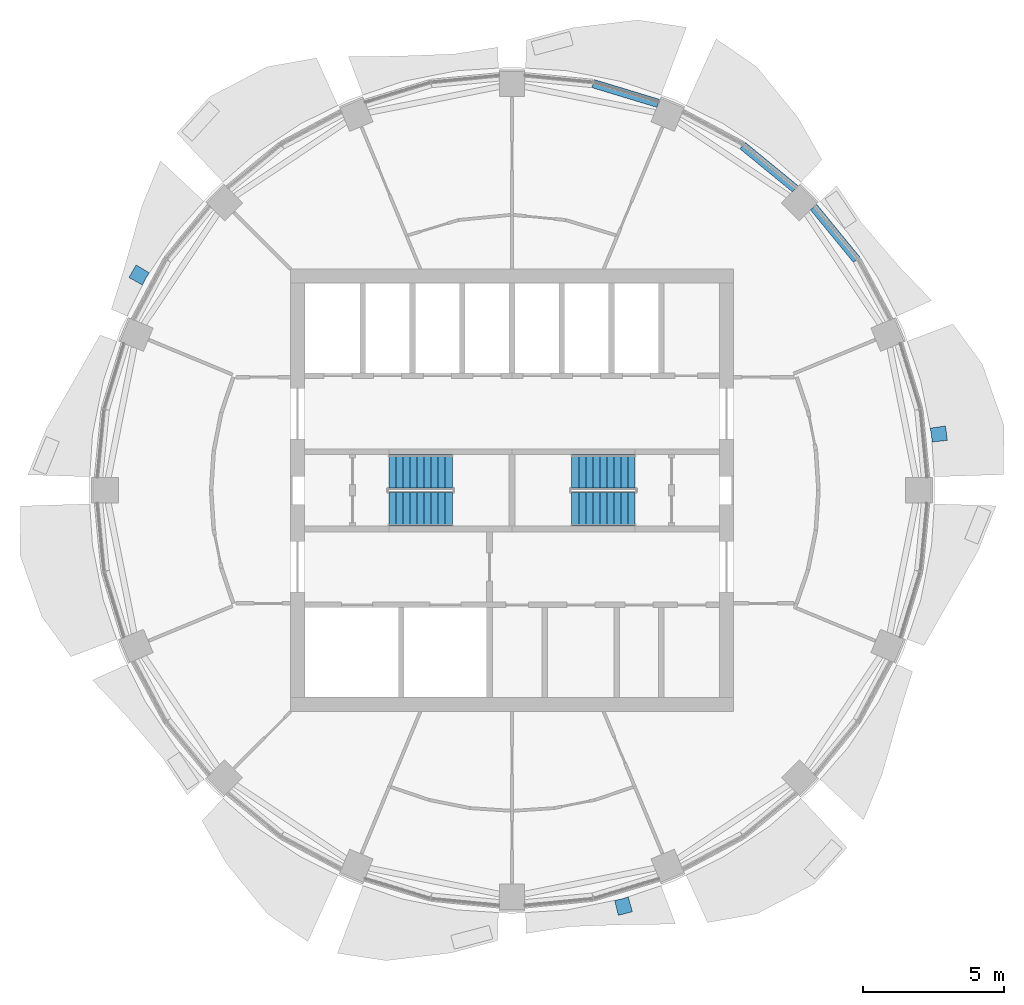
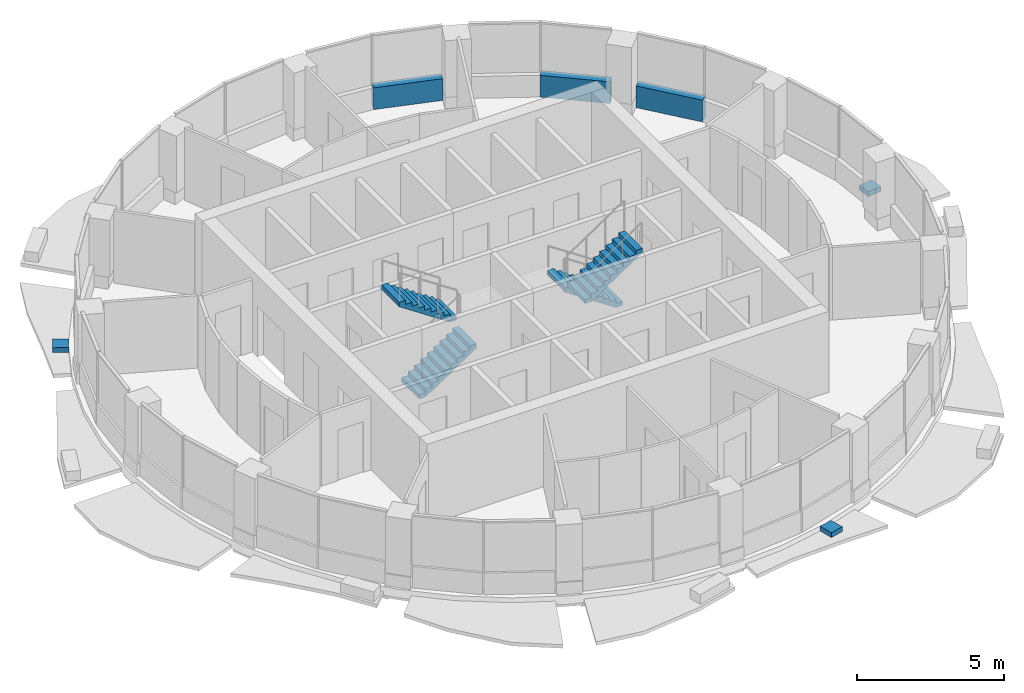
# One storey, part 10 of 14: 4 stair flights, 3 discrete accessories, 3 walls, 2 elements without a shape of their own.
"""IFC4 building model written with IfcOpenShell, lengths in metres."""

import ifcopenshell
import ifcopenshell.guid

model = None  # the IFC model being written
_history = None  # IfcOwnerHistory: only IFC2X3 demands one
_inside = {}  # id of a spatial element -> (the spatial element, [elements in it])
_under = {}  # id of a project, library or spatial element -> (it, [spatial elements below it])
_declared = {}  # id of a project -> (the project, [libraries it declares])
_typed = {}  # id of a type object -> (the type object, [elements of that type])
_made_of = {}  # id of a material, layer set ... -> (it, [elements and type objects made of it])


def new_model(schema):
    """Start an empty IFC model of exactly this schema.

    Asked for "IFC4X3", IfcOpenShell would pick the latest addendum, in which some entities
    have other attributes; the version numbers below select the first issue.
    IFC2X3 requires an IfcOwnerHistory on every rooted entity: one is made here for all.
    """
    global model, _history
    if schema == "IFC4X3":
        model = ifcopenshell.file(schema_version=(4, 3, 0, 0))
    else:
        model = ifcopenshell.file(schema=schema)
    _inside.clear()
    _under.clear()
    _declared.clear()
    _typed.clear()
    _made_of.clear()
    _history = None
    if model.schema == "IFC2X3":
        org = make("IfcOrganization", Name="unknown")
        user = make(
            "IfcPersonAndOrganization",
            ThePerson=make("IfcPerson", FamilyName="unknown"),
            TheOrganization=org,
        )
        app = make(
            "IfcApplication",
            ApplicationDeveloper=org,
            Version="unknown",
            ApplicationFullName="unknown",
            ApplicationIdentifier="unknown",
        )
        _history = make(
            "IfcOwnerHistory",
            OwningUser=user,
            OwningApplication=app,
            ChangeAction="ADDED",
            CreationDate=0,
        )
    return model


def make(cls, **values):
    """One entity of the class cls with the attributes given. An attribute that is None is left unset."""
    return model.create_entity(
        cls, **{name: value for name, value in values.items() if value is not None}
    )


def rooted(cls, **values):
    """An entity with a GlobalId (a new one), such as an element, a storey or a relation."""
    return make(cls, GlobalId=ifcopenshell.guid.new(), OwnerHistory=_history, **values)


def si_unit(unit_type, name, prefix=None):
    """IfcSIUnit, for example si_unit("LENGTHUNIT", "METRE", prefix="MILLI")."""
    return make("IfcSIUnit", UnitType=unit_type, Prefix=prefix, Name=name)


def assignment(units):
    """IfcUnitAssignment: the units of a project."""
    return None if units is None else make("IfcUnitAssignment", Units=units)


def point(xyz):
    """IfcCartesianPoint."""
    return None if xyz is None else make("IfcCartesianPoint", Coordinates=xyz)


def direction(xyz):
    """IfcDirection."""
    return None if xyz is None else make("IfcDirection", DirectionRatios=xyz)


def frame(location, z_axis=None, x_axis=None):
    """IfcAxis2Placement3D, a coordinate frame: its origin and axes. An axis left out is left unset."""
    return make(
        "IfcAxis2Placement3D",
        Location=point(location),
        Axis=direction(z_axis),
        RefDirection=direction(x_axis),
    )


def frame_2d(location, x_axis=None):
    """IfcAxis2Placement2D, a coordinate frame in the plane: its origin and x axis."""
    return make(
        "IfcAxis2Placement2D", Location=point(location), RefDirection=direction(x_axis)
    )


def origin():
    """The frame at (0, 0, 0) with its axes left unset."""
    return frame((0.0, 0.0, 0.0))


def place(relative_to, where):
    """IfcLocalPlacement: puts the frame where relative to a parent placement (None: the world)."""
    return make(
        "IfcLocalPlacement", PlacementRelTo=relative_to, RelativePlacement=where
    )


def context(
    kind, dimensions, precision=None, world=None, true_north=None, identifier=None
):
    """IfcGeometricRepresentationContext, for example the 3D "Model" context."""
    return make(
        "IfcGeometricRepresentationContext",
        ContextIdentifier=identifier,
        ContextType=kind,
        CoordinateSpaceDimension=dimensions,
        Precision=precision,
        WorldCoordinateSystem=world,
        TrueNorth=true_north,
    )


def subcontext(parent, identifier, kind, view, scale=None):
    """IfcGeometricRepresentationSubContext, for example "Body" below "Model"."""
    return make(
        "IfcGeometricRepresentationSubContext",
        ContextIdentifier=identifier,
        ContextType=kind,
        ParentContext=parent,
        TargetScale=scale,
        TargetView=view,
    )


def project(units=None, contexts=None):
    """IfcProject with its units and contexts."""
    return rooted(
        "IfcProject",
        Name="project",
        RepresentationContexts=contexts,
        UnitsInContext=assignment(units),
    )


def spatial(cls, under=None, at=None, **own):
    """A site, building, storey or space (cls), placed at a placement, below another one or the project."""
    s = rooted(cls, ObjectPlacement=at, **own)
    if under is not None:
        _under.setdefault(under.id(), (under, []))[1].append(s)
    return s


def polyline(points):
    """IfcPolyline through the points."""
    return make("IfcPolyline", Points=[point(p) for p in points])


def profile(cls, at=None, kind="AREA", **sizes):
    """A parametric profile (cls). Its sizes go by their IFC names, for example OverallWidth=200.0."""
    return make(cls, ProfileType=kind, Position=at, **sizes)


def rectangle(**sizes):
    """IfcRectangleProfileDef."""
    return profile("IfcRectangleProfileDef", **sizes)


def outline(outer, holes=None, kind="AREA"):
    """IfcArbitraryClosedProfileDef: a profile drawn as a closed curve; with holes, ...WithVoids."""
    if holes is None:
        return make("IfcArbitraryClosedProfileDef", ProfileType=kind, OuterCurve=outer)
    return make(
        "IfcArbitraryProfileDefWithVoids",
        ProfileType=kind,
        OuterCurve=outer,
        InnerCurves=holes,
    )


def extrude(swept, where, along, depth):
    """IfcExtrudedAreaSolid: the profile swept, set in the frame where, extruded along a direction by depth."""
    return make(
        "IfcExtrudedAreaSolid",
        SweptArea=swept,
        Position=where,
        ExtrudedDirection=direction(along),
        Depth=depth,
    )


def shape(context_of_items, identifier, shape_type, items):
    """IfcShapeRepresentation: the items that make up one representation, for example the "Body"."""
    return make(
        "IfcShapeRepresentation",
        ContextOfItems=context_of_items,
        RepresentationIdentifier=identifier,
        RepresentationType=shape_type,
        Items=items,
    )


def material(Name=None, Category=None):
    """IfcMaterial."""
    return make("IfcMaterial", Name=Name, Category=Category)


def layer(
    of_material, thickness, ventilated=None, Name=None, Category=None, Priority=None
):
    """IfcMaterialLayer: one layer of a wall or slab, of a material (None: an air gap)."""
    return make(
        "IfcMaterialLayer",
        Material=of_material,
        LayerThickness=thickness,
        IsVentilated=ventilated,
        Name=Name,
        Category=Category,
        Priority=Priority,
    )


def layer_set(layers, Name=None):
    """IfcMaterialLayerSet."""
    return make("IfcMaterialLayerSet", MaterialLayers=layers, LayerSetName=Name)


def made_of(thing, what):
    """Note that an element or type object is made of a material, layer set ...; save() writes the relation."""
    if what is not None:
        _made_of.setdefault(what.id(), (what, []))[1].append(thing)
    return thing


def type_object(cls, material=None, **own):
    """A type object (cls), such as IfcWallType, which elements share."""
    return made_of(rooted(cls, **own), material)


def element(
    cls,
    number,
    at=None,
    inside=None,
    cuts=None,
    type_object=None,
    material=None,
    context=None,
    identifier="Body",
    shape_type=None,
    held_by="IfcProductDefinitionShape",
    body=None,
    shapes=None,
    **own,
):
    """One element of the class cls, such as IfcWall. Its Tag is "e" and its number.

    at: its placement. inside: the storey or other place that contains it. cuts: it is an
    opening in that element (IfcRelVoidsElement). A single representation is given by context,
    identifier, shape_type and body (its items); several are given by shapes. held_by: the class
    of the entity that holds the representations. save() writes the other relations.
    """
    e = rooted(cls, Tag="e%d" % number, ObjectPlacement=at, **own)
    if body is not None:
        shapes = [shape(context, identifier, shape_type, body)]
    if shapes is not None:
        e.Representation = make(held_by, Representations=shapes)
    if inside is not None:
        _inside.setdefault(inside.id(), (inside, []))[1].append(e)
    if cuts is not None:
        rooted(
            "IfcRelVoidsElement", RelatingBuildingElement=cuts, RelatedOpeningElement=e
        )
    if type_object is not None:
        _typed.setdefault(type_object.id(), (type_object, []))[1].append(e)
    return made_of(e, material)


def aggregate(whole, parts):
    """IfcRelAggregates: a whole, such as a stair, and the parts it consists of."""
    return rooted("IfcRelAggregates", RelatingObject=whole, RelatedObjects=parts)


def save(model, path):
    """Write the relations noted so far, then the file.

    IfcRelAggregates (storeys below a building ...), IfcRelContainedInSpatialStructure (elements
    in a storey), IfcRelDefinesByType, IfcRelAssociatesMaterial and IfcRelDeclares: one each for
    every whole, place, type object, material and project.
    """
    for whole, parts in _under.values():
        aggregate(whole, parts)
    for where, things in _inside.values():
        rooted(
            "IfcRelContainedInSpatialStructure",
            RelatedElements=things,
            RelatingStructure=where,
        )
    for kind, things in _typed.values():
        rooted("IfcRelDefinesByType", RelatedObjects=things, RelatingType=kind)
    for what, things in _made_of.values():
        rooted("IfcRelAssociatesMaterial", RelatedObjects=things, RelatingMaterial=what)
    for by, libraries in _declared.values():
        rooted("IfcRelDeclares", RelatingContext=by, RelatedDefinitions=libraries)
    model.write(path)


model = new_model("IFC4")

# Units and contexts
model_context = context("Model", 3, precision=1e-05, world=origin(), true_north=direction((0.0, 1.0)))
body_context = subcontext(model_context, "Body", "Model", "MODEL_VIEW")
ifc_project = project(units=[si_unit("LENGTHUNIT", "METRE"), si_unit("AREAUNIT", "SQUARE_METRE"), si_unit("VOLUMEUNIT", "CUBIC_METRE"), si_unit("PLANEANGLEUNIT", "RADIAN"), si_unit("MASSUNIT", "GRAM", prefix="KILO")], contexts=[model_context])

# Site, building, storey
site_placement = place(None, origin())
site = spatial("IfcSite", under=ifc_project, at=site_placement, CompositionType="ELEMENT")
building_placement = place(site_placement, origin())
building = spatial("IfcBuilding", under=site, at=building_placement, Name="Polderwave Tower", CompositionType="ELEMENT")
storey_placement = place(building_placement, frame((0.0, 0.0, 227.85009765625)))
storey = spatial("IfcBuildingStorey", under=building, at=storey_placement, Name="L62", CompositionType="ELEMENT", Elevation=227.85009765625)

# Walls
ifc_material_1 = material(Name="Concrete C50/60 (board-marked)", Category="concrete")
ifc_layer = layer(ifc_material_1, 0.300048828125)
ifc_layer_set = layer_set([ifc_layer], Name="Concrete spandrel upstand C50/60")
wall_type = type_object("IfcWallType", Name="Concrete spandrel upstand C50/60", PredefinedType="SOLIDWALL", material=ifc_layer_set)
for number, where, z_axis, x_axis, name in (
    (1, (12.25439453125, 8.20556640625, 0.0), (0.0, 0.0, 1.0), (-0.634009359187, 0.773325372959, 0.0), "Spandrel L62 2b"),
    (2, (10.0703125, 10.7255859375, 0.0), (0.0, 0.0, 1.0), (-0.773325372959, 0.634009359187, 0.0), "Spandrel L62 3a"),
):
    element("IfcWall", number, at=place(storey_placement, frame(where, z_axis=z_axis, x_axis=x_axis)), inside=storey, type_object=wall_type, Name=name, PredefinedType="SOLIDWALL", context=body_context, shape_type="SweptSolid", body=[
        extrude(rectangle(XDim=2.411376953125, YDim=0.300048828125, at=frame_2d((1.20556640625, 0.0))), origin(), (0.0, 0.0, 1.0), 0.89990234375),
    ])
wall_placement = place(storey_placement, frame((5.198486328125, 13.762451171875, 0.0), z_axis=(0.0, 0.0, 1.0), x_axis=(-0.956901683383, 0.290412066449, 0.0)))
element("IfcWall", 3, at=wall_placement, inside=storey, type_object=wall_type, Name="Spandrel L62 4a", PredefinedType="SOLIDWALL", context=body_context, shape_type="SweptSolid", body=[
    extrude(rectangle(XDim=2.4111328125, YDim=0.300048828125, at=frame_2d((1.20556640625, 0.0))), origin(), (0.0, 0.0, 1.0), 0.89990234375),
])

# Stair, stair flights
ifc_material_2 = material(Name="Concrete C40/50", Category="concrete")
stair_type = type_object("IfcStairType", Name="Exit stair 1200 x 20 risers", PredefinedType="HALF_TURN_STAIR", material=ifc_material_2)
stair_1_placement = place(storey_placement, origin())
stair_1 = element("IfcStair", 4, at=stair_1_placement, inside=storey, type_object=stair_type, Name="L62 Exit stair A", PredefinedType="HALF_TURN_STAIR")
stair_flight_type = type_object("IfcStairFlightType", Name="Stair flight 1200", PredefinedType="STRAIGHT", material=ifc_material_2)
stair_flight_1_placement = place(storey_placement, frame((-4.3740234375, -0.675048828125, 0.0), z_axis=(0.0, 0.0, 1.0), x_axis=(1.0, 0.0, 0.0)))
stair_flight_1 = element("IfcStairFlight", 5, at=stair_flight_1_placement, type_object=stair_flight_type, Name="ST-A flight 1", NumberOfRisers=10, NumberOfTreads=9, PredefinedType="STRAIGHT", RiserHeight=0.1675, TreadLength=0.25, context=body_context, shape_type="SweptSolid", body=[
    extrude(outline(polyline([(0.0, 0.0), (0.0, 0.16748046875), (0.25, 0.16748046875), (0.25, 0.3349609375), (0.5, 0.3349609375), (0.5, 0.50244140625), (0.75, 0.50244140625), (0.75, 0.669921875), (1.0, 0.669921875), (1.0, 0.83740234375), (1.25, 0.83740234375), (1.25, 1.0048828125), (1.5, 1.0048828125), (1.5, 1.172607421875), (1.75, 1.172607421875), (1.75, 1.340087890625), (2.0, 1.340087890625), (2.0, 1.507568359375), (2.25, 1.507568359375), (2.25, 1.675048828125), (2.25, 1.3271484375), (0.269287109375, 0.0), (0.0, 0.0)])), frame((0.0, 0.60009765625, 0.0), z_axis=(0.0, -1.0, 0.0), x_axis=(1.0, 0.0, 0.0)), (0.0, 0.0, 1.0), 1.199951171875),
])
stair_flight_2_placement = place(storey_placement, frame((-2.1240234375, 0.675048828125, 1.6748046875), z_axis=(0.0, 0.0, 1.0), x_axis=(-1.0, 0.0, 0.0)))
stair_flight_2 = element("IfcStairFlight", 6, at=stair_flight_2_placement, type_object=stair_flight_type, Name="ST-A flight 2", NumberOfRisers=10, NumberOfTreads=9, PredefinedType="STRAIGHT", RiserHeight=0.1675, TreadLength=0.25, context=body_context, shape_type="SweptSolid", body=[
    extrude(outline(polyline([(0.0, 0.0), (0.0, 0.16748046875), (0.25, 0.16748046875), (0.25, 0.3349609375), (0.5, 0.3349609375), (0.5, 0.50244140625), (0.75, 0.50244140625), (0.75, 0.669921875), (1.0, 0.669921875), (1.0, 0.83740234375), (1.25, 0.83740234375), (1.25, 1.0048828125), (1.5, 1.0048828125), (1.5, 1.172607421875), (1.75, 1.172607421875), (1.75, 1.340087890625), (2.0, 1.340087890625), (2.0, 1.507568359375), (2.25, 1.507568359375), (2.25, 1.675048828125), (2.25, 1.3271484375), (0.269287109375, 0.0), (0.0, 0.0)])), frame((0.0, 0.60009765625, 0.0), z_axis=(0.0, -1.0, 0.0), x_axis=(1.0, 0.0, 0.0)), (0.0, 0.0, 1.0), 1.199951171875),
])
aggregate(stair_1, [stair_flight_1, stair_flight_2])

stair_2_placement = place(storey_placement, origin())
stair_2 = element("IfcStair", 7, at=stair_2_placement, inside=storey, type_object=stair_type, Name="L62 Exit stair B", PredefinedType="HALF_TURN_STAIR")
stair_flight_3_placement = place(storey_placement, frame((4.3740234375, 0.675048828125, 0.0), z_axis=(0.0, 0.0, 1.0), x_axis=(-1.0, 0.0, 0.0)))
stair_flight_3 = element("IfcStairFlight", 8, at=stair_flight_3_placement, type_object=stair_flight_type, Name="ST-B flight 1", NumberOfRisers=10, NumberOfTreads=9, PredefinedType="STRAIGHT", RiserHeight=0.1675, TreadLength=0.25, context=body_context, shape_type="SweptSolid", body=[
    extrude(outline(polyline([(0.0, 0.0), (0.0, 0.16748046875), (0.25, 0.16748046875), (0.25, 0.3349609375), (0.5, 0.3349609375), (0.5, 0.50244140625), (0.75, 0.50244140625), (0.75, 0.669921875), (1.0, 0.669921875), (1.0, 0.83740234375), (1.25, 0.83740234375), (1.25, 1.0048828125), (1.5, 1.0048828125), (1.5, 1.172607421875), (1.75, 1.172607421875), (1.75, 1.340087890625), (2.0, 1.340087890625), (2.0, 1.507568359375), (2.25, 1.507568359375), (2.25, 1.675048828125), (2.25, 1.3271484375), (0.269287109375, 0.0), (0.0, 0.0)])), frame((0.0, 0.60009765625, 0.0), z_axis=(0.0, -1.0, 0.0), x_axis=(1.0, 0.0, 0.0)), (0.0, 0.0, 1.0), 1.199951171875),
])
stair_flight_4_placement = place(storey_placement, frame((2.1240234375, -0.675048828125, 1.6748046875), z_axis=(0.0, 0.0, 1.0), x_axis=(1.0, 0.0, 0.0)))
stair_flight_4 = element("IfcStairFlight", 9, at=stair_flight_4_placement, type_object=stair_flight_type, Name="ST-B flight 2", NumberOfRisers=10, NumberOfTreads=9, PredefinedType="STRAIGHT", RiserHeight=0.1675, TreadLength=0.25, context=body_context, shape_type="SweptSolid", body=[
    extrude(outline(polyline([(0.0, 0.0), (0.0, 0.16748046875), (0.25, 0.16748046875), (0.25, 0.3349609375), (0.5, 0.3349609375), (0.5, 0.50244140625), (0.75, 0.50244140625), (0.75, 0.669921875), (1.0, 0.669921875), (1.0, 0.83740234375), (1.25, 0.83740234375), (1.25, 1.0048828125), (1.5, 1.0048828125), (1.5, 1.172607421875), (1.75, 1.172607421875), (1.75, 1.340087890625), (2.0, 1.340087890625), (2.0, 1.507568359375), (2.25, 1.507568359375), (2.25, 1.675048828125), (2.25, 1.3271484375), (0.269287109375, 0.0), (0.0, 0.0)])), frame((0.0, 0.60009765625, 0.0), z_axis=(0.0, -1.0, 0.0), x_axis=(1.0, 0.0, 0.0)), (0.0, 0.0, 1.0), 1.199951171875),
])
aggregate(stair_2, [stair_flight_3, stair_flight_4])

# Discrete accessories
ifc_material_3 = material(Name="Steel S355", Category="steel")
discrete_accessory_type = type_object("IfcDiscreteAccessoryType", Name="Band bracket pad", PredefinedType="BRACKET", material=ifc_material_3)
discrete_accessory_1_placement = place(storey_placement, frame((0.0, 0.0, -0.2001953125)))
element("IfcDiscreteAccessory", 10, at=discrete_accessory_1_placement, inside=storey, type_object=discrete_accessory_type, Name="Band bracket L62 1", PredefinedType="BRACKET", context=body_context, shape_type="SweptSolid", body=[
    extrude(outline(polyline([(14.9375, 1.715087890625), (14.921142578125, 1.96435546875), (14.87255859375, 2.209716796875), (15.41650390625, 2.290283203125), (15.48388671875, 1.777587890625), (14.9375, 1.715087890625)])), origin(), (0.0, 0.0, 1.0), 0.2001953125),
])
discrete_accessory_2_placement = place(storey_placement, frame((0.0, 0.0, -0.2001953125)))
element("IfcDiscreteAccessory", 11, at=discrete_accessory_2_placement, inside=storey, type_object=discrete_accessory_type, Name="Band bracket L62 7", PredefinedType="BRACKET", context=body_context, shape_type="SweptSolid", body=[
    extrude(outline(polyline([(-12.894775390625, 7.73291015625), (-13.03369140625, 7.52490234375), (-13.144287109375, 7.30078125), (-13.625, 7.56787109375), (-13.366455078125, 8.015625), (-12.894775390625, 7.73291015625)])), origin(), (0.0, 0.0, 1.0), 0.2001953125),
])
discrete_accessory_3_placement = place(storey_placement, frame((0.0, 0.0, -0.2001953125)))
element("IfcDiscreteAccessory", 12, at=discrete_accessory_3_placement, inside=storey, type_object=discrete_accessory_type, Name="Band bracket L62 13", PredefinedType="BRACKET", context=body_context, shape_type="SweptSolid", body=[
    extrude(outline(polyline([(3.64990234375, -14.5859375), (3.895263671875, -14.537109375), (4.132080078125, -14.456787109375), (4.283203125, -14.985595703125), (3.783447265625, -15.119384765625), (3.64990234375, -14.5859375)])), origin(), (0.0, 0.0, 1.0), 0.2001953125),
])

save(model, "model.ifc")
